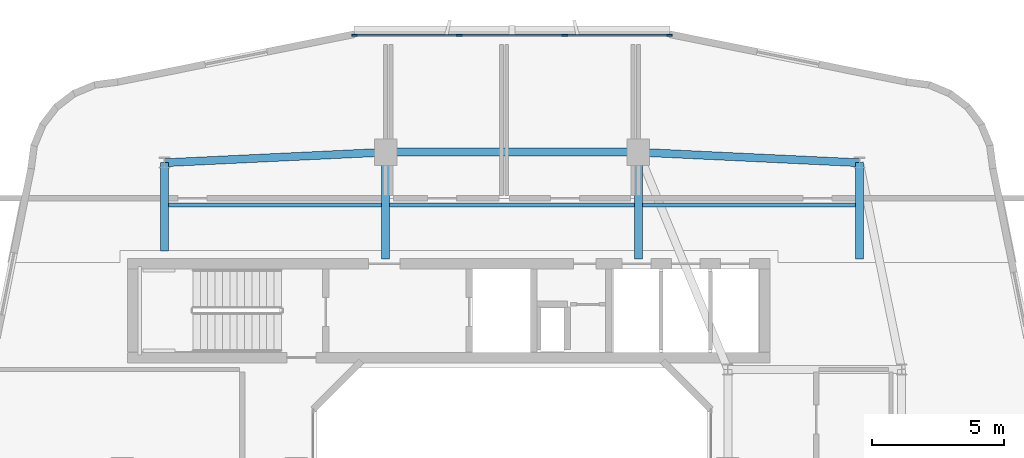
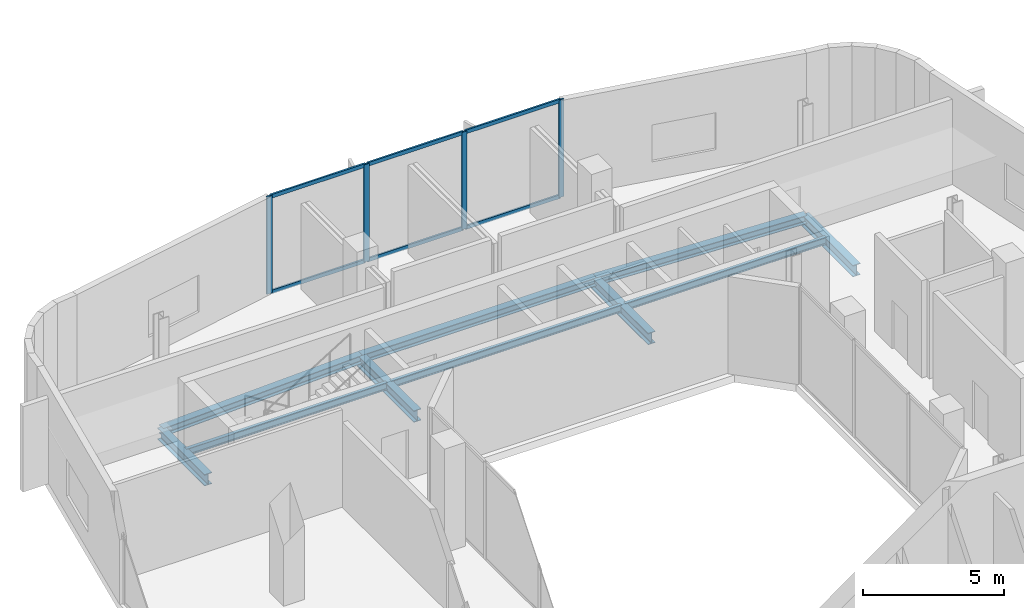
# One storey, part 8 of 24: 10 beams, 10 members, 1 element without a shape of its own.
"""IFC4 building model written with IfcOpenShell, lengths in metres."""

from ifc_helpers import new_model, si_unit, derived_unit, direction, frame, origin, origin_2d, place, context, subcontext, project, spatial, rectangle, i_section, extrude, material, layer, layer_set, material_profile, profile_set, type_object, element, aggregate, save


model = new_model("IFC4")

# Units and contexts
model_context = context("Model", 3, precision=1e-05, world=origin(), true_north=direction((0.0, 1.0)))
body_context = subcontext(model_context, "Body", "Model", "MODEL_VIEW")
ifc_project = project(units=[si_unit("LENGTHUNIT", "METRE"), si_unit("AREAUNIT", "SQUARE_METRE"), si_unit("VOLUMEUNIT", "CUBIC_METRE"), si_unit("PLANEANGLEUNIT", "RADIAN"), si_unit("MASSUNIT", "GRAM", prefix="KILO"), derived_unit("THERMALTRANSMITTANCEUNIT", [(si_unit("POWERUNIT", "WATT"), 1), (si_unit("LENGTHUNIT", "METRE"), -2), (si_unit("THERMODYNAMICTEMPERATUREUNIT", "KELVIN"), -1)])], contexts=[model_context])

# Site, building, storey
site_placement = place(None, origin())
site = spatial("IfcSite", under=ifc_project, at=site_placement, CompositionType="ELEMENT")
building_placement = place(site_placement, origin())
building = spatial("IfcBuilding", under=site, at=building_placement, Name="Kivonza Crest Hotel", CompositionType="ELEMENT")
storey_placement = place(building_placement, frame((0.0, 0.0, 119.5)))
storey = spatial("IfcBuildingStorey", under=building, at=storey_placement, Name="L32", CompositionType="ELEMENT", Elevation=119.5)

# Beams
ifc_material_1 = material(Name="Steel S355", Category="steel")
ifc_material_profile_1 = material_profile(ifc_material_1, i_section(OverallWidth=0.300048828125, OverallDepth=0.360107421875, WebThickness=0.012451171875, FlangeThickness=0.0224609375, FilletRadius=0.027099609375, at=origin_2d()), Name="HEB 360")
ifc_profile_set_1 = profile_set([ifc_material_profile_1], Name="Steel S355")
beam_type_1 = type_object("IfcBeamType", Name="BM-HEB360", PredefinedType="SPANDREL", material=ifc_profile_set_1)
beam_1_placement = place(storey_placement, frame((34.199951171875, 40.199951171875, -0.5), z_axis=(-0.998867283688, 0.047583080799, 0.0), x_axis=(-0.047583080799, -0.998867283688, 0.0)))
element("IfcBeam", 1, at=beam_1_placement, inside=storey, type_object=beam_type_1, Name="Tower T1 L32 perimeter spandrel NE-N2", PredefinedType="SPANDREL", context=body_context, shape_type="SweptSolid", body=[
    extrude(i_section(OverallWidth=0.300048828125, OverallDepth=0.360107421875, WebThickness=0.012451171875, FlangeThickness=0.0224609375, FilletRadius=0.027099609375, at=origin_2d()), origin(), (0.0, 0.0, 1.0), 8.409423828125),
])
beam_2_placement = place(storey_placement, frame((25.800048828125, 40.60009765625, -0.5), z_axis=(-1.0, 0.0, 0.0), x_axis=(0.0, -1.0, 0.0)))
element("IfcBeam", 2, at=beam_2_placement, inside=storey, type_object=beam_type_1, Name="Tower T1 L32 perimeter spandrel N2-N1", PredefinedType="SPANDREL", context=body_context, shape_type="SweptSolid", body=[
    extrude(i_section(OverallWidth=0.300048828125, OverallDepth=0.360107421875, WebThickness=0.012451171875, FlangeThickness=0.0224609375, FilletRadius=0.027099609375, at=origin_2d()), origin(), (0.0, 0.0, 1.0), 9.60009765625),
])
beam_3_placement = place(storey_placement, frame((16.199951171875, 40.60009765625, -0.5), z_axis=(-0.998867283688, -0.047583080799, 0.0), x_axis=(0.047583080799, -0.998867283688, 0.0)))
element("IfcBeam", 3, at=beam_3_placement, inside=storey, type_object=beam_type_1, Name="Tower T1 L32 perimeter spandrel N1-NW", PredefinedType="SPANDREL", context=body_context, shape_type="SweptSolid", body=[
    extrude(i_section(OverallWidth=0.300048828125, OverallDepth=0.360107421875, WebThickness=0.012451171875, FlangeThickness=0.0224609375, FilletRadius=0.027099609375, at=origin_2d()), origin(), (0.0, 0.0, 1.0), 8.409423828125),
])
ifc_material_profile_2 = material_profile(ifc_material_1, i_section(OverallWidth=0.300048828125, OverallDepth=0.5, WebThickness=0.014404296875, FlangeThickness=0.028076171875, FilletRadius=0.027099609375, at=origin_2d()), Name="HEB 500")
ifc_profile_set_2 = profile_set([ifc_material_profile_2], Name="Steel S355")
beam_type_2 = type_object("IfcBeamType", Name="BM-HEB500", PredefinedType="BEAM", material=ifc_profile_set_2)
beam_4_placement = place(storey_placement, frame((7.800048828125, 40.199951171875, -0.570068359375), z_axis=(0.0, -1.0, 0.0), x_axis=(1.0, 0.0, 0.0)))
element("IfcBeam", 4, at=beam_4_placement, inside=storey, type_object=beam_type_2, Name="Tower T1 L32 radial core girder RNW", PredefinedType="BEAM", context=body_context, shape_type="SweptSolid", body=[
    extrude(i_section(OverallWidth=0.300048828125, OverallDepth=0.5, WebThickness=0.014404296875, FlangeThickness=0.028076171875, FilletRadius=0.027099609375, at=origin_2d()), origin(), (0.0, 0.0, 1.0), 3.349853515625),
])
for number, where, z_axis, x_axis, name in (
    (5, (16.199951171875, 40.60009765625, -0.570068359375), (0.0, -1.0, 0.0), (1.0, 0.0, 0.0), "Tower T1 L32 radial core girder RN1"),
    (6, (25.800048828125, 40.60009765625, -0.570068359375), (0.0, -1.0, 0.0), (1.0, 0.0, 0.0), "Tower T1 L32 radial core girder RN2"),
):
    element("IfcBeam", number, at=place(storey_placement, frame(where, z_axis=z_axis, x_axis=x_axis)), inside=storey, type_object=beam_type_2, Name=name, PredefinedType="BEAM", context=body_context, shape_type="SweptSolid", body=[
        extrude(i_section(OverallWidth=0.300048828125, OverallDepth=0.5, WebThickness=0.014404296875, FlangeThickness=0.028076171875, FilletRadius=0.027099609375, at=origin_2d()), origin(), (0.0, 0.0, 1.0), 4.050048828125),
    ])
beam_5_placement = place(storey_placement, frame((34.199951171875, 40.199951171875, -0.570068359375), z_axis=(0.0, -1.0, 0.0), x_axis=(1.0, 0.0, 0.0)))
element("IfcBeam", 7, at=beam_5_placement, inside=storey, type_object=beam_type_2, Name="Tower T1 L32 radial core girder RNE", PredefinedType="BEAM", context=body_context, shape_type="SweptSolid", body=[
    extrude(i_section(OverallWidth=0.300048828125, OverallDepth=0.5, WebThickness=0.014404296875, FlangeThickness=0.028076171875, FilletRadius=0.027099609375, at=origin_2d()), origin(), (0.0, 0.0, 1.0), 3.64990234375),
])
ifc_material_profile_3 = material_profile(ifc_material_1, i_section(OverallWidth=0.14990234375, OverallDepth=0.300048828125, WebThickness=0.007080078125, FlangeThickness=0.0107421875, FilletRadius=0.014892578125, at=origin_2d()), Name="IPE 300")
ifc_profile_set_3 = profile_set([ifc_material_profile_3], Name="Steel S355")
beam_type_3 = type_object("IfcBeamType", Name="BM-IPE300", PredefinedType="JOIST", material=ifc_profile_set_3)
beam_6_placement = place(storey_placement, frame((7.8798828125, 38.60009765625, -0.469970703125), z_axis=(1.0, 0.0, 0.0), x_axis=(0.0, 1.0, 0.0)))
element("IfcBeam", 8, at=beam_6_placement, inside=storey, type_object=beam_type_3, Name="Tower T1 L32 North-West floor joist", PredefinedType="JOIST", context=body_context, shape_type="SweptSolid", body=[
    extrude(i_section(OverallWidth=0.14990234375, OverallDepth=0.300048828125, WebThickness=0.007080078125, FlangeThickness=0.0107421875, FilletRadius=0.014892578125, at=origin_2d()), origin(), (0.0, 0.0, 1.0), 8.240234375),
])
beam_7_placement = place(storey_placement, frame((16.280029296875, 38.60009765625, -0.469970703125), z_axis=(1.0, 0.0, 0.0), x_axis=(0.0, 1.0, 0.0)))
element("IfcBeam", 9, at=beam_7_placement, inside=storey, type_object=beam_type_3, Name="Tower T1 L32 North-Mid floor joist", PredefinedType="JOIST", context=body_context, shape_type="SweptSolid", body=[
    extrude(i_section(OverallWidth=0.14990234375, OverallDepth=0.300048828125, WebThickness=0.007080078125, FlangeThickness=0.0107421875, FilletRadius=0.014892578125, at=origin_2d()), origin(), (0.0, 0.0, 1.0), 9.43994140625),
])
beam_8_placement = place(storey_placement, frame((25.8798828125, 38.60009765625, -0.469970703125), z_axis=(1.0, 0.0, 0.0), x_axis=(0.0, 1.0, 0.0)))
element("IfcBeam", 10, at=beam_8_placement, inside=storey, type_object=beam_type_3, Name="Tower T1 L32 North-East floor joist", PredefinedType="JOIST", context=body_context, shape_type="SweptSolid", body=[
    extrude(i_section(OverallWidth=0.14990234375, OverallDepth=0.300048828125, WebThickness=0.007080078125, FlangeThickness=0.0107421875, FilletRadius=0.014892578125, at=origin_2d()), origin(), (0.0, 0.0, 1.0), 8.240234375),
])

# Curtain wall, members
ifc_material_2 = material(Name="Anodised bronze aluminium and low-E double glazing", Category="aluminium")
ifc_layer = layer(ifc_material_2, 0.179931640625)
ifc_layer_set = layer_set([ifc_layer], Name="Anodised bronze aluminium and low-E double glazing")
curtain_wall_type = type_object("IfcCurtainWallType", Name="CW-SYS-3", PredefinedType="NOTDEFINED", material=ifc_layer_set)
curtain_wall_placement = place(storey_placement, origin())
curtain_wall = element("IfcCurtainWall", 11, at=curtain_wall_placement, inside=storey, type_object=curtain_wall_type, Name="L32 unitised curtain wall CW-T1-L32-26", PredefinedType="NOTDEFINED")
ifc_material_3 = material(Name="Anodised bronze aluminium", Category="aluminium")
ifc_material_profile_4 = material_profile(ifc_material_3, rectangle(XDim=0.074951171875, YDim=0.219970703125, at=origin_2d()), Name="CW-M 75x220")
ifc_profile_set_4 = profile_set([ifc_material_profile_4], Name="Anodised bronze aluminium")
member_type_1 = type_object("IfcMemberType", Name="CW-MUL-75x220", PredefinedType="MULLION", material=ifc_profile_set_4)
member_1_placement = place(storey_placement, frame((26.982421875, 45.0400390625, 0.0), z_axis=(0.0, 0.0, 1.0), x_axis=(0.0, -1.0, 0.0)))
member_1 = element("IfcMember", 12, at=member_1_placement, type_object=member_type_1, Name="CW-3 mullion 1", PredefinedType="MULLION", context=body_context, shape_type="SweptSolid", body=[
    extrude(rectangle(XDim=0.074951171875, YDim=0.219970703125, at=origin_2d()), origin(), (0.0, 0.0, 1.0), 4.219970703125),
])
member_2_placement = place(storey_placement, frame((23.006591796875, 45.0400390625, 0.0), z_axis=(0.0, 0.0, 1.0), x_axis=(0.0, -1.0, 0.0)))
member_2 = element("IfcMember", 13, at=member_2_placement, type_object=member_type_1, Name="CW-3 mullion 2", PredefinedType="MULLION", context=body_context, shape_type="SweptSolid", body=[
    extrude(rectangle(XDim=0.074951171875, YDim=0.219970703125, at=origin_2d()), origin(), (0.0, 0.0, 1.0), 4.219970703125),
])
member_3_placement = place(storey_placement, frame((18.993408203125, 45.0400390625, 0.0), z_axis=(0.0, 0.0, 1.0), x_axis=(0.0, -1.0, 0.0)))
member_3 = element("IfcMember", 14, at=member_3_placement, type_object=member_type_1, Name="CW-3 mullion 3", PredefinedType="MULLION", context=body_context, shape_type="SweptSolid", body=[
    extrude(rectangle(XDim=0.074951171875, YDim=0.219970703125, at=origin_2d()), origin(), (0.0, 0.0, 1.0), 4.219970703125),
])
member_4_placement = place(storey_placement, frame((15.017578125, 45.0400390625, 0.0), z_axis=(0.0, 0.0, 1.0), x_axis=(0.0, -1.0, 0.0)))
member_4 = element("IfcMember", 15, at=member_4_placement, type_object=member_type_1, Name="CW-3 mullion 4", PredefinedType="MULLION", context=body_context, shape_type="SweptSolid", body=[
    extrude(rectangle(XDim=0.074951171875, YDim=0.219970703125, at=origin_2d()), origin(), (0.0, 0.0, 1.0), 4.219970703125),
])
ifc_material_profile_5 = material_profile(ifc_material_3, rectangle(XDim=0.074951171875, YDim=0.159912109375, at=origin_2d()), Name="CW-T 75x160")
ifc_profile_set_5 = profile_set([ifc_material_profile_5], Name="Anodised bronze aluminium")
member_type_2 = type_object("IfcMemberType", Name="CW-TRN-75x160", PredefinedType="USERDEFINED", material=ifc_profile_set_5)
member_5_placement = place(storey_placement, frame((26.945068359375, 45.0400390625, 0.03759765625), z_axis=(-1.0, 0.0, 0.0), x_axis=(0.0, -1.0, 0.0)))
member_5 = element("IfcMember", 16, at=member_5_placement, type_object=member_type_2, Name="CW-3 transom 1.1", ObjectType="TRANSOM", PredefinedType="USERDEFINED", context=body_context, shape_type="SweptSolid", body=[
    extrude(rectangle(XDim=0.074951171875, YDim=0.159912109375, at=origin_2d()), origin(), (0.0, 0.0, 1.0), 3.90087890625),
])
member_6_placement = place(storey_placement, frame((26.945068359375, 45.0400390625, 4.1826171875), z_axis=(-1.0, 0.0, 0.0), x_axis=(0.0, -1.0, 0.0)))
member_6 = element("IfcMember", 17, at=member_6_placement, type_object=member_type_2, Name="CW-3 transom 1.2", ObjectType="TRANSOM", PredefinedType="USERDEFINED", context=body_context, shape_type="SweptSolid", body=[
    extrude(rectangle(XDim=0.074951171875, YDim=0.159912109375, at=origin_2d()), origin(), (0.0, 0.0, 1.0), 3.90087890625),
])
member_7_placement = place(storey_placement, frame((22.96923828125, 45.0400390625, 0.03759765625), z_axis=(-1.0, 0.0, 0.0), x_axis=(0.0, -1.0, 0.0)))
member_7 = element("IfcMember", 18, at=member_7_placement, type_object=member_type_2, Name="CW-3 transom 2.1", ObjectType="TRANSOM", PredefinedType="USERDEFINED", context=body_context, shape_type="SweptSolid", body=[
    extrude(rectangle(XDim=0.074951171875, YDim=0.159912109375, at=origin_2d()), origin(), (0.0, 0.0, 1.0), 3.9384765625),
])
member_8_placement = place(storey_placement, frame((22.96923828125, 45.0400390625, 4.1826171875), z_axis=(-1.0, 0.0, 0.0), x_axis=(0.0, -1.0, 0.0)))
member_8 = element("IfcMember", 19, at=member_8_placement, type_object=member_type_2, Name="CW-3 transom 2.2", ObjectType="TRANSOM", PredefinedType="USERDEFINED", context=body_context, shape_type="SweptSolid", body=[
    extrude(rectangle(XDim=0.074951171875, YDim=0.159912109375, at=origin_2d()), origin(), (0.0, 0.0, 1.0), 3.9384765625),
])
member_9_placement = place(storey_placement, frame((18.955810546875, 45.0400390625, 0.03759765625), z_axis=(-1.0, 0.0, 0.0), x_axis=(0.0, -1.0, 0.0)))
member_9 = element("IfcMember", 20, at=member_9_placement, type_object=member_type_2, Name="CW-3 transom 3.1", ObjectType="TRANSOM", PredefinedType="USERDEFINED", context=body_context, shape_type="SweptSolid", body=[
    extrude(rectangle(XDim=0.074951171875, YDim=0.159912109375, at=origin_2d()), origin(), (0.0, 0.0, 1.0), 3.90087890625),
])
member_10_placement = place(storey_placement, frame((18.955810546875, 45.0400390625, 4.1826171875), z_axis=(-1.0, 0.0, 0.0), x_axis=(0.0, -1.0, 0.0)))
member_10 = element("IfcMember", 21, at=member_10_placement, type_object=member_type_2, Name="CW-3 transom 3.2", ObjectType="TRANSOM", PredefinedType="USERDEFINED", context=body_context, shape_type="SweptSolid", body=[
    extrude(rectangle(XDim=0.074951171875, YDim=0.159912109375, at=origin_2d()), origin(), (0.0, 0.0, 1.0), 3.90087890625),
])
aggregate(curtain_wall, [member_1, member_2, member_3, member_4, member_5, member_6, member_7, member_8, member_9, member_10])

save(model, "model.ifc")
